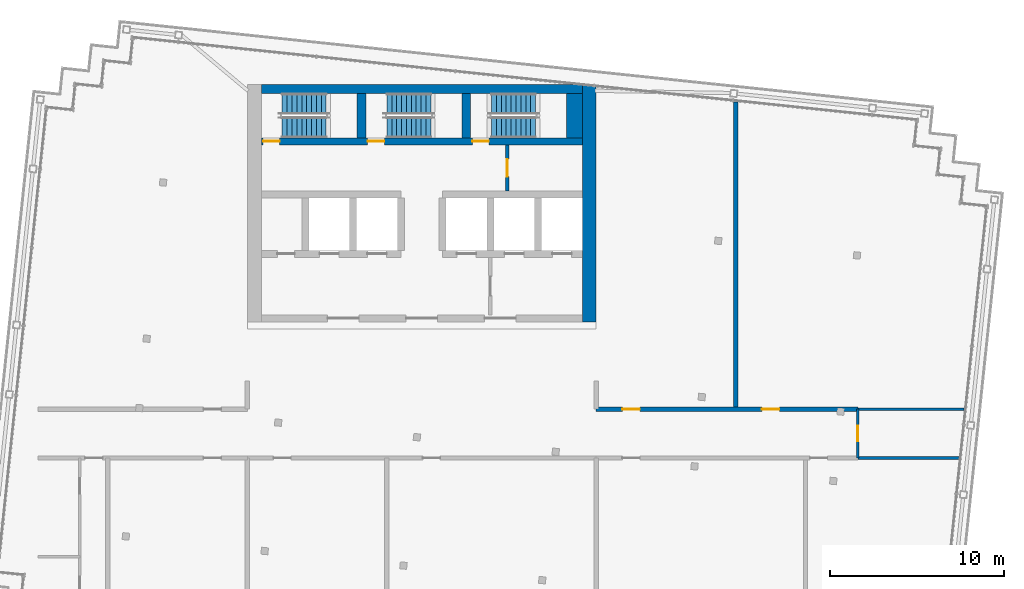
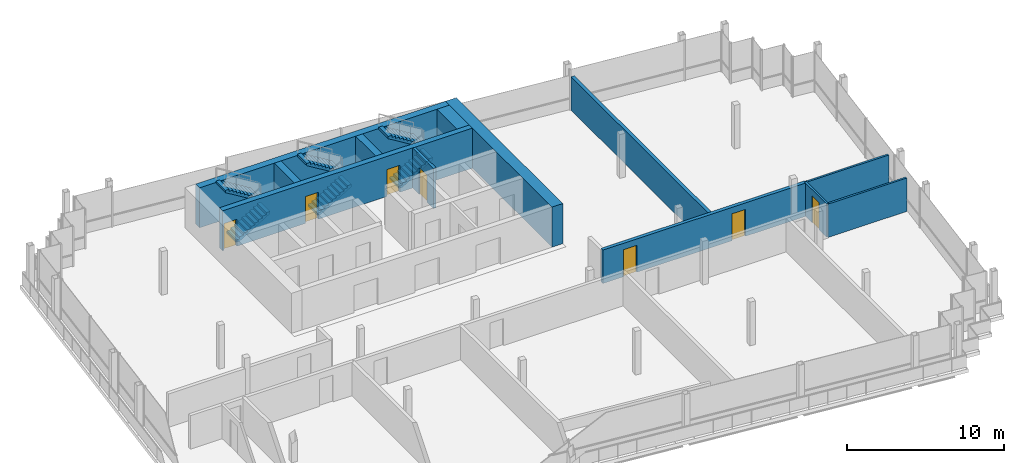
# One storey, part 12 of 15: 12 walls, 7 doors, 6 stair flights, 7 openings, 3 elements without a shape of their own.
"""IFC4 building model written with IfcOpenShell, lengths in metres."""

from ifc_helpers import new_model, si_unit, direction, frame, frame_2d, origin, place, context, subcontext, project, spatial, polyline, rectangle, outline, extrude, material, layer, layer_set, type_object, element, fill, aggregate, save


model = new_model("IFC4")

# Units and contexts
model_context = context("Model", 3, precision=1e-05, world=origin(), true_north=direction((0.0, 1.0)))
body_context = subcontext(model_context, "Body", "Model", "MODEL_VIEW")
ifc_project = project(units=[si_unit("LENGTHUNIT", "METRE"), si_unit("AREAUNIT", "SQUARE_METRE"), si_unit("VOLUMEUNIT", "CUBIC_METRE"), si_unit("PLANEANGLEUNIT", "RADIAN"), si_unit("MASSUNIT", "GRAM", prefix="KILO")], contexts=[model_context])

# Site, building, storey
site_placement = place(None, origin())
site = spatial("IfcSite", under=ifc_project, at=site_placement, CompositionType="ELEMENT")
building_placement = place(site_placement, origin())
building = spatial("IfcBuilding", under=site, at=building_placement, Name="Vidyagriha Tower", CompositionType="ELEMENT")
storey_placement = place(building_placement, frame((0.0, 0.0, 294.89990234375)))
storey = spatial("IfcBuildingStorey", under=building, at=storey_placement, Name="L76", CompositionType="ELEMENT", Elevation=294.89990234375)

# Wall, openings, doors
ifc_material_1 = material(Name="Concrete C60/75", Category="concrete")
ifc_layer_1 = layer(ifc_material_1, 0.39990234375)
ifc_layer_set_1 = layer_set([ifc_layer_1], Name="Concrete C60/75")
wall_type_1 = type_object("IfcWallType", Name="Core shear wall 400 mm", PredefinedType="SHEAR", material=ifc_layer_set_1)
wall_1_placement = place(storey_placement, frame((-9.199951171875, 16.75, 0.0)))
wall_1 = element("IfcWall", 1, at=wall_1_placement, inside=storey, type_object=wall_type_1, Name="Stair front wall", PredefinedType="SHEAR", context=body_context, shape_type="SweptSolid", body=[
    extrude(rectangle(XDim=18.39990234375, YDim=0.39990234375, at=frame_2d((9.199951171875, 0.0))), origin(), (0.0, 0.0, 1.0), 3.1201171875),
])
opening_1_placement = place(wall_1_placement, frame((0.10009765625, 0.0, 0.0)))
opening_1 = element("IfcOpeningElement", 2, at=opening_1_placement, cuts=wall_1, Name="Opening D76-06", PredefinedType="OPENING", context=body_context, shape_type="SweptSolid", body=[
    extrude(rectangle(XDim=0.949951171875, YDim=2.10009765625, at=frame_2d((0.47509765625, 1.050048828125))), frame((0.0, 0.2099609375, 0.0), z_axis=(0.0, -1.0, 0.0), x_axis=(1.0, 0.0, 0.0)), (0.0, 0.0, 1.0), 0.419921875),
])
opening_2_placement = place(wall_1_placement, frame((6.10009765625, 0.0, 0.0)))
opening_2 = element("IfcOpeningElement", 3, at=opening_2_placement, cuts=wall_1, Name="Opening D76-07", PredefinedType="OPENING", context=body_context, shape_type="SweptSolid", body=[
    extrude(rectangle(XDim=0.949951171875, YDim=2.10009765625, at=frame_2d((0.47509765625, 1.050048828125))), frame((0.0, 0.2099609375, 0.0), z_axis=(0.0, -1.0, 0.0), x_axis=(1.0, 0.0, 0.0)), (0.0, 0.0, 1.0), 0.419921875),
])
opening_3_placement = place(wall_1_placement, frame((12.10009765625, 0.0, 0.0)))
opening_3 = element("IfcOpeningElement", 4, at=opening_3_placement, cuts=wall_1, Name="Opening D76-08", PredefinedType="OPENING", context=body_context, shape_type="SweptSolid", body=[
    extrude(rectangle(XDim=0.949951171875, YDim=2.10009765625, at=frame_2d((0.47509765625, 1.050048828125))), frame((0.0, 0.2099609375, 0.0), z_axis=(0.0, -1.0, 0.0), x_axis=(1.0, 0.0, 0.0)), (0.0, 0.0, 1.0), 0.419921875),
])
ifc_material_2 = material(Name="Hollow metal door leaf")
door_type_1 = type_object("IfcDoorType", Name="Exit stair door 950 x 2100 mm EI 90", OperationType="NOTDEFINED", PredefinedType="DOOR", material=ifc_material_2)
door_1_placement = place(opening_1_placement, origin())
door_1 = element("IfcDoor", 5, at=door_1_placement, inside=storey, type_object=door_type_1, Name="Stair door ST1 L76", OperationType="SINGLE_SWING_LEFT", OverallHeight=2.10009765625, OverallWidth=0.949951171875, PredefinedType="DOOR", context=body_context, shape_type="SweptSolid", body=[
    extrude(rectangle(XDim=0.949951171875, YDim=2.10009765625, at=frame_2d((0.47509765625, 1.050048828125))), frame((0.0, 0.02490234375, 0.0), z_axis=(0.0, -1.0, 0.0), x_axis=(1.0, 0.0, 0.0)), (0.0, 0.0, 1.0), 0.050048828125),
])
fill(opening_1, door_1)
door_2_placement = place(opening_2_placement, origin())
door_2 = element("IfcDoor", 6, at=door_2_placement, inside=storey, type_object=door_type_1, Name="Stair door ST2 L76", OperationType="SINGLE_SWING_LEFT", OverallHeight=2.10009765625, OverallWidth=0.949951171875, PredefinedType="DOOR", context=body_context, shape_type="SweptSolid", body=[
    extrude(rectangle(XDim=0.949951171875, YDim=2.10009765625, at=frame_2d((0.47509765625, 1.050048828125))), frame((0.0, 0.02490234375, 0.0), z_axis=(0.0, -1.0, 0.0), x_axis=(1.0, 0.0, 0.0)), (0.0, 0.0, 1.0), 0.050048828125),
])
fill(opening_2, door_2)
door_3_placement = place(opening_3_placement, origin())
door_3 = element("IfcDoor", 7, at=door_3_placement, inside=storey, type_object=door_type_1, Name="Stair door ST3 L76", OperationType="SINGLE_SWING_LEFT", OverallHeight=2.10009765625, OverallWidth=0.949951171875, PredefinedType="DOOR", context=body_context, shape_type="SweptSolid", body=[
    extrude(rectangle(XDim=0.949951171875, YDim=2.10009765625, at=frame_2d((0.47509765625, 1.050048828125))), frame((0.0, 0.02490234375, 0.0), z_axis=(0.0, -1.0, 0.0), x_axis=(1.0, 0.0, 0.0)), (0.0, 0.0, 1.0), 0.050048828125),
])
fill(opening_3, door_3)

# Walls
ifc_material_3 = material(Name="Concrete C60/75", Category="concrete")
ifc_layer_2 = layer(ifc_material_3, 0.5)
ifc_layer_set_2 = layer_set([ifc_layer_2], Name="Concrete C60/75")
wall_type_2 = type_object("IfcWallType", Name="Core shear wall 500 mm", PredefinedType="SHEAR", material=ifc_layer_set_2)
wall_2_placement = place(storey_placement, frame((-9.199951171875, 19.75, 0.0)))
element("IfcWall", 8, at=wall_2_placement, inside=storey, type_object=wall_type_2, Name="Core north wall", PredefinedType="SHEAR", context=body_context, shape_type="SweptSolid", body=[
    extrude(rectangle(XDim=18.39990234375, YDim=0.5, at=frame_2d((9.199951171875, 0.0))), origin(), (0.0, 0.0, 1.0), 3.1201171875),
])
for number, where, z_axis, x_axis, name in (
    (9, (-3.449951171875, 16.949951171875, 0.0), (0.0, 0.0, 1.0), (0.0, 1.0, 0.0), "Stair partition wall 1"),
    (10, (2.550048828125, 16.949951171875, 0.0), (0.0, 0.0, 1.0), (0.0, 1.0, 0.0), "Stair partition wall 2"),
):
    element("IfcWall", number, at=place(storey_placement, frame(where, z_axis=z_axis, x_axis=x_axis)), inside=storey, type_object=wall_type_2, Name=name, PredefinedType="SHEAR", context=body_context, shape_type="SweptSolid", body=[
        extrude(rectangle(XDim=2.550048828125, YDim=0.5, at=frame_2d((1.27490234375, 0.0))), origin(), (0.0, 0.0, 1.0), 3.1201171875),
    ])
ifc_material_4 = material(Name="Concrete C60/75", Category="concrete")
ifc_layer_3 = layer(ifc_material_4, 0.800048828125)
ifc_layer_set_3 = layer_set([ifc_layer_3], Name="Concrete C60/75")
wall_type_3 = type_object("IfcWallType", Name="Core shear wall 800 mm", PredefinedType="SHEAR", material=ifc_layer_set_3)
wall_3_placement = place(storey_placement, frame((9.60009765625, 6.39990234375, 0.0), z_axis=(0.0, 0.0, 1.0), x_axis=(0.0, 1.0, 0.0)))
element("IfcWall", 11, at=wall_3_placement, inside=storey, type_object=wall_type_3, Name="Core east wall", PredefinedType="SHEAR", context=body_context, shape_type="SweptSolid", body=[
    extrude(rectangle(XDim=13.60009765625, YDim=0.800048828125, at=frame_2d((6.800048828125, 0.0))), origin(), (0.0, 0.0, 1.0), 3.1201171875),
])
ifc_material_5 = material(Name="Concrete C60/75", Category="concrete")
ifc_layer_4 = layer(ifc_material_5, 0.89990234375)
ifc_layer_set_4 = layer_set([ifc_layer_4], Name="Concrete C60/75")
wall_type_4 = type_object("IfcWallType", Name="Core shear wall 900 mm", PredefinedType="SHEAR", material=ifc_layer_set_4)
wall_4_placement = place(storey_placement, frame((8.75, 16.949951171875, 0.0), z_axis=(0.0, 0.0, 1.0), x_axis=(0.0, 1.0, 0.0)))
element("IfcWall", 12, at=wall_4_placement, inside=storey, type_object=wall_type_4, Name="Stair end wall", PredefinedType="SHEAR", context=body_context, shape_type="SweptSolid", body=[
    extrude(rectangle(XDim=2.550048828125, YDim=0.89990234375, at=frame_2d((1.27490234375, 0.0))), origin(), (0.0, 0.0, 1.0), 3.1201171875),
])

# Wall, openings, doors
ifc_material_6 = material(Name="Fired clay brick masonry", Category="masonry")
ifc_layer_5 = layer(ifc_material_6, 0.25)
ifc_layer_set_5 = layer_set([ifc_layer_5], Name="Fired clay brick masonry")
wall_type_5 = type_object("IfcWallType", Name="Fired clay brick corridor wall 250", PredefinedType="PARTITIONING", material=ifc_layer_set_5)
wall_5_placement = place(storey_placement, frame((10.0, 1.39990234375, 0.0)))
wall_5 = element("IfcWall", 13, at=wall_5_placement, inside=storey, type_object=wall_type_5, Name="Wall all-L76-w020", PredefinedType="PARTITIONING", context=body_context, shape_type="SweptSolid", body=[
    extrude(rectangle(XDim=15.0, YDim=0.25, at=frame_2d((7.5, 0.0))), origin(), (0.0, 0.0, 1.0), 2.60009765625),
])
opening_4_placement = place(wall_5_placement, frame((1.5, 0.0, 0.0)))
opening_4 = element("IfcOpeningElement", 14, at=opening_4_placement, cuts=wall_5, Name="Opening D76-18", PredefinedType="OPENING", context=body_context, shape_type="SweptSolid", body=[
    extrude(rectangle(XDim=1.0, YDim=2.10009765625, at=frame_2d((0.5, 1.050048828125))), frame((0.0, 0.135009765625, 0.0), z_axis=(0.0, -1.0, 0.0), x_axis=(1.0, 0.0, 0.0)), (0.0, 0.0, 1.0), 0.27001953125),
])
opening_5_placement = place(wall_5_placement, frame((9.5, 0.0, 0.0)))
opening_5 = element("IfcOpeningElement", 15, at=opening_5_placement, cuts=wall_5, Name="Opening D76-19", PredefinedType="OPENING", context=body_context, shape_type="SweptSolid", body=[
    extrude(rectangle(XDim=1.0, YDim=2.10009765625, at=frame_2d((0.5, 1.050048828125))), frame((0.0, 0.135009765625, 0.0), z_axis=(0.0, -1.0, 0.0), x_axis=(1.0, 0.0, 0.0)), (0.0, 0.0, 1.0), 0.27001953125),
])
ifc_material_7 = material(Name="Fire-rated timber door leaf EI 60", Category="wood")
door_type_2 = type_object("IfcDoorType", Name="Flat entrance fire door 1000x2100", OperationType="NOTDEFINED", PredefinedType="DOOR", material=ifc_material_7)
door_4_placement = place(opening_4_placement, origin())
door_4 = element("IfcDoor", 16, at=door_4_placement, inside=storey, type_object=door_type_2, Name="Door D76-18", OperationType="SINGLE_SWING_LEFT", OverallHeight=2.10009765625, OverallWidth=1.0, PredefinedType="DOOR", context=body_context, shape_type="SweptSolid", body=[
    extrude(rectangle(XDim=1.0, YDim=2.10009765625, at=frame_2d((0.5, 1.050048828125))), frame((0.0, 0.02490234375, 0.0), z_axis=(0.0, -1.0, 0.0), x_axis=(1.0, 0.0, 0.0)), (0.0, 0.0, 1.0), 0.050048828125),
])
fill(opening_4, door_4)
door_5_placement = place(opening_5_placement, origin())
door_5 = element("IfcDoor", 17, at=door_5_placement, inside=storey, type_object=door_type_2, Name="Door D76-19", OperationType="SINGLE_SWING_LEFT", OverallHeight=2.10009765625, OverallWidth=1.0, PredefinedType="DOOR", context=body_context, shape_type="SweptSolid", body=[
    extrude(rectangle(XDim=1.0, YDim=2.10009765625, at=frame_2d((0.5, 1.050048828125))), frame((0.0, 0.02490234375, 0.0), z_axis=(0.0, -1.0, 0.0), x_axis=(1.0, 0.0, 0.0)), (0.0, 0.0, 1.0), 0.050048828125),
])
fill(opening_5, door_5)

# Walls
ifc_material_8 = material(Name="Fired clay brick masonry", Category="masonry")
ifc_layer_6 = layer(ifc_material_8, 0.25)
ifc_layer_set_6 = layer_set([ifc_layer_6], Name="Fired clay brick masonry")
wall_type_6 = type_object("IfcWallType", Name="Fired clay brick demising wall 250", PredefinedType="PARTITIONING", material=ifc_layer_set_6)
wall_6_placement = place(storey_placement, frame((18.0, 19.00439453125, 0.0), z_axis=(0.0, 0.0, 1.0), x_axis=(0.0, -1.0, 0.0)))
element("IfcWall", 18, at=wall_6_placement, inside=storey, type_object=wall_type_6, Name="Wall all-L76-w024", PredefinedType="PARTITIONING", context=body_context, shape_type="SweptSolid", body=[
    extrude(rectangle(XDim=17.6044921875, YDim=0.25, at=frame_2d((8.80224609375, 0.0))), origin(), (0.0, 0.0, 1.0), 2.60009765625),
])
ifc_material_9 = material(Name="Gypsum board partition")
ifc_layer_7 = layer(ifc_material_9, 0.14990234375)
ifc_layer_set_7 = layer_set([ifc_layer_7], Name="Gypsum board partition")
wall_type_7 = type_object("IfcWallType", Name="Gypsum board partition 150", PredefinedType="PARTITIONING", material=ifc_layer_set_7)
wall_7_placement = place(storey_placement, frame((30.79833984375, -1.39990234375, 0.0), z_axis=(0.0, 0.0, 1.0), x_axis=(-1.0, 0.0, 0.0)))
element("IfcWall", 19, at=wall_7_placement, inside=storey, type_object=wall_type_7, Name="Wall all-L76-w013", PredefinedType="PARTITIONING", context=body_context, shape_type="SweptSolid", body=[
    extrude(rectangle(XDim=5.79833984375, YDim=0.14990234375, at=frame_2d((2.899169921875, 0.0))), origin(), (0.0, 0.0, 1.0), 2.60009765625),
])

# Wall, opening, door
wall_8_placement = place(storey_placement, frame((25.0, -1.39990234375, 0.0), z_axis=(0.0, 0.0, 1.0), x_axis=(0.0, 1.0, 0.0)))
wall_8 = element("IfcWall", 20, at=wall_8_placement, inside=storey, type_object=wall_type_7, Name="Wall all-L76-w014", PredefinedType="PARTITIONING", context=body_context, shape_type="SweptSolid", body=[
    extrude(rectangle(XDim=2.7998046875, YDim=0.14990234375, at=frame_2d((1.39990234375, 0.0))), origin(), (0.0, 0.0, 1.0), 2.60009765625),
])
opening_6_placement = place(wall_8_placement, frame((0.949951171875, 0.0, 0.0)))
opening_6 = element("IfcOpeningElement", 21, at=opening_6_placement, cuts=wall_8, Name="Opening D76-17", PredefinedType="OPENING", context=body_context, shape_type="SweptSolid", body=[
    extrude(rectangle(XDim=0.89990234375, YDim=2.10009765625, at=frame_2d((0.449951171875, 1.050048828125))), frame((0.0, 0.0849609375, 0.0), z_axis=(0.0, -1.0, 0.0), x_axis=(1.0, 0.0, 0.0)), (0.0, 0.0, 1.0), 0.169921875),
])
ifc_material_10 = material(Name="Timber door leaf", Category="wood")
door_type_3 = type_object("IfcDoorType", Name="Room door 900x2100", OperationType="NOTDEFINED", PredefinedType="DOOR", material=ifc_material_10)
door_6_placement = place(opening_6_placement, origin())
door_6 = element("IfcDoor", 22, at=door_6_placement, inside=storey, type_object=door_type_3, Name="Door D76-17", OperationType="SINGLE_SWING_RIGHT", OverallHeight=2.10009765625, OverallWidth=0.89990234375, PredefinedType="DOOR", context=body_context, shape_type="SweptSolid", body=[
    extrude(rectangle(XDim=0.89990234375, YDim=2.10009765625, at=frame_2d((0.449951171875, 1.050048828125))), frame((0.0, 0.02490234375, 0.0), z_axis=(0.0, -1.0, 0.0), x_axis=(1.0, 0.0, 0.0)), (0.0, 0.0, 1.0), 0.050048828125),
])
fill(opening_6, door_6)

# Wall
wall_9_placement = place(storey_placement, frame((25.0, 1.39990234375, 0.0)))
element("IfcWall", 23, at=wall_9_placement, inside=storey, type_object=wall_type_7, Name="Wall all-L76-w021", PredefinedType="PARTITIONING", context=body_context, shape_type="SweptSolid", body=[
    extrude(rectangle(XDim=6.092529296875, YDim=0.14990234375, at=frame_2d((3.04638671875, 0.0))), origin(), (0.0, 0.0, 1.0), 2.60009765625),
])

# Wall, opening, door
ifc_material_11 = material(Name="Blockwork 15 MPa", Category="masonry")
ifc_layer_8 = layer(ifc_material_11, 0.199951171875)
ifc_layer_set_8 = layer_set([ifc_layer_8], Name="Blockwork 15 MPa")
wall_type_8 = type_object("IfcWallType", Name="Service room partition 200 mm", PredefinedType="PARTITIONING", material=ifc_layer_set_8)
wall_10_placement = place(storey_placement, frame((4.89990234375, 13.89990234375, 0.0), z_axis=(0.0, 0.0, 1.0), x_axis=(0.0, 1.0, 0.0)))
wall_10 = element("IfcWall", 24, at=wall_10_placement, inside=storey, type_object=wall_type_8, Name="Core room partition E", PredefinedType="PARTITIONING", context=body_context, shape_type="SweptSolid", body=[
    extrude(rectangle(XDim=2.650146484375, YDim=0.199951171875, at=frame_2d((1.3251953125, 0.0))), origin(), (0.0, 0.0, 1.0), 3.1201171875),
])
opening_7_placement = place(wall_10_placement, frame((0.824951171875, 0.0, 0.0)))
opening_7 = element("IfcOpeningElement", 25, at=opening_7_placement, cuts=wall_10, Name="Opening D76-09", PredefinedType="OPENING", context=body_context, shape_type="SweptSolid", body=[
    extrude(rectangle(XDim=1.0, YDim=2.10009765625, at=frame_2d((0.5, 1.050048828125))), frame((0.0, 0.10986328125, 0.0), z_axis=(0.0, -1.0, 0.0), x_axis=(1.0, 0.0, 0.0)), (0.0, 0.0, 1.0), 0.219970703125),
])
ifc_material_12 = material(Name="Hollow metal door leaf")
door_type_4 = type_object("IfcDoorType", Name="Core room door 1000 x 2100 mm EI 60", OperationType="NOTDEFINED", PredefinedType="DOOR", material=ifc_material_12)
door_7_placement = place(opening_7_placement, origin())
door_7 = element("IfcDoor", 26, at=door_7_placement, inside=storey, type_object=door_type_4, Name="Door Storage Room 76.T1", OperationType="SINGLE_SWING_LEFT", OverallHeight=2.10009765625, OverallWidth=1.0, PredefinedType="DOOR", context=body_context, shape_type="SweptSolid", body=[
    extrude(rectangle(XDim=1.0, YDim=2.10009765625, at=frame_2d((0.5, 1.050048828125))), frame((0.0, 0.02490234375, 0.0), z_axis=(0.0, -1.0, 0.0), x_axis=(1.0, 0.0, 0.0)), (0.0, 0.0, 1.0), 0.050048828125),
])
fill(opening_7, door_7)

# Stair, stair flights
ifc_material_13 = material(Name="Concrete C40/50", Category="concrete")
stair_type = type_object("IfcStairType", Name="Exit stair, half-turn, precast flights", PredefinedType="HALF_TURN_STAIR", material=ifc_material_13)
stair_1_placement = place(storey_placement, origin())
stair_1 = element("IfcStair", 27, at=stair_1_placement, inside=storey, type_object=stair_type, Name="L76 Exit Stair ST1", PredefinedType="HALF_TURN_STAIR")
ifc_material_14 = material(Name="Precast concrete C40/50", Category="concrete")
stair_flight_type = type_object("IfcStairFlightType", Name="Exit stair flight 1200 mm, precast", PredefinedType="STRAIGHT", material=ifc_material_14)
stair_flight_1_placement = place(storey_placement, frame((-8.0, 17.550048828125, 0.0)))
stair_flight_1 = element("IfcStairFlight", 28, at=stair_flight_1_placement, type_object=stair_flight_type, Name="ST1 flight 1", NumberOfRisers=10, NumberOfTreads=9, PredefinedType="STRAIGHT", RiserHeight=0.17, TreadLength=0.28, context=body_context, shape_type="SweptSolid", body=[
    extrude(outline(polyline([(0.0, 0.0), (0.0, 0.169921875), (0.280029296875, 0.169921875), (0.280029296875, 0.340087890625), (0.56005859375, 0.340087890625), (0.56005859375, 0.510009765625), (0.840087890625, 0.510009765625), (0.840087890625, 0.679931640625), (1.1201171875, 0.679931640625), (1.1201171875, 0.85009765625), (1.39990234375, 0.85009765625), (1.39990234375, 1.02001953125), (1.679931640625, 1.02001953125), (1.679931640625, 1.18994140625), (1.9599609375, 1.18994140625), (1.9599609375, 1.360107421875), (2.239990234375, 1.360107421875), (2.239990234375, 1.530029296875), (2.52001953125, 1.530029296875), (2.52001953125, 1.699951171875), (2.52001953125, 1.354736328125), (0.288818359375, 0.0), (0.0, 0.0)])), frame((0.0, 0.60009765625, 0.0), z_axis=(0.0, -1.0, 0.0), x_axis=(1.0, 0.0, 0.0)), (0.0, 0.0, 1.0), 1.199951171875),
])
stair_flight_2_placement = place(storey_placement, frame((-5.47998046875, 18.89990234375, 1.7001953125), z_axis=(0.0, 0.0, 1.0), x_axis=(-1.0, 0.0, 0.0)))
stair_flight_2 = element("IfcStairFlight", 29, at=stair_flight_2_placement, type_object=stair_flight_type, Name="ST1 flight 2", NumberOfRisers=10, NumberOfTreads=9, PredefinedType="STRAIGHT", RiserHeight=0.17, TreadLength=0.28, context=body_context, shape_type="SweptSolid", body=[
    extrude(outline(polyline([(0.0, 0.0), (0.0, 0.169921875), (0.280029296875, 0.169921875), (0.280029296875, 0.340087890625), (0.56005859375, 0.340087890625), (0.56005859375, 0.510009765625), (0.840087890625, 0.510009765625), (0.840087890625, 0.679931640625), (1.1201171875, 0.679931640625), (1.1201171875, 0.85009765625), (1.39990234375, 0.85009765625), (1.39990234375, 1.02001953125), (1.679931640625, 1.02001953125), (1.679931640625, 1.18994140625), (1.9599609375, 1.18994140625), (1.9599609375, 1.360107421875), (2.239990234375, 1.360107421875), (2.239990234375, 1.530029296875), (2.52001953125, 1.530029296875), (2.52001953125, 1.699951171875), (2.52001953125, 1.354736328125), (0.288818359375, 0.0), (0.0, 0.0)])), frame((0.0, 0.60009765625, 0.0), z_axis=(0.0, -1.0, 0.0), x_axis=(1.0, 0.0, 0.0)), (0.0, 0.0, 1.0), 1.199951171875),
])
aggregate(stair_1, [stair_flight_1, stair_flight_2])

stair_2_placement = place(storey_placement, origin())
stair_2 = element("IfcStair", 30, at=stair_2_placement, inside=storey, type_object=stair_type, Name="L76 Exit Stair ST2", PredefinedType="HALF_TURN_STAIR")
stair_flight_3_placement = place(storey_placement, frame((-2.0, 17.550048828125, 0.0)))
stair_flight_3 = element("IfcStairFlight", 31, at=stair_flight_3_placement, type_object=stair_flight_type, Name="ST2 flight 1", NumberOfRisers=10, NumberOfTreads=9, PredefinedType="STRAIGHT", RiserHeight=0.17, TreadLength=0.28, context=body_context, shape_type="SweptSolid", body=[
    extrude(outline(polyline([(0.0, 0.0), (0.0, 0.169921875), (0.280029296875, 0.169921875), (0.280029296875, 0.340087890625), (0.56005859375, 0.340087890625), (0.56005859375, 0.510009765625), (0.840087890625, 0.510009765625), (0.840087890625, 0.679931640625), (1.1201171875, 0.679931640625), (1.1201171875, 0.85009765625), (1.39990234375, 0.85009765625), (1.39990234375, 1.02001953125), (1.679931640625, 1.02001953125), (1.679931640625, 1.18994140625), (1.9599609375, 1.18994140625), (1.9599609375, 1.360107421875), (2.239990234375, 1.360107421875), (2.239990234375, 1.530029296875), (2.52001953125, 1.530029296875), (2.52001953125, 1.699951171875), (2.52001953125, 1.354736328125), (0.288818359375, 0.0), (0.0, 0.0)])), frame((0.0, 0.60009765625, 0.0), z_axis=(0.0, -1.0, 0.0), x_axis=(1.0, 0.0, 0.0)), (0.0, 0.0, 1.0), 1.199951171875),
])
stair_flight_4_placement = place(storey_placement, frame((0.52001953125, 18.89990234375, 1.7001953125), z_axis=(0.0, 0.0, 1.0), x_axis=(-1.0, 0.0, 0.0)))
stair_flight_4 = element("IfcStairFlight", 32, at=stair_flight_4_placement, type_object=stair_flight_type, Name="ST2 flight 2", NumberOfRisers=10, NumberOfTreads=9, PredefinedType="STRAIGHT", RiserHeight=0.17, TreadLength=0.28, context=body_context, shape_type="SweptSolid", body=[
    extrude(outline(polyline([(0.0, 0.0), (0.0, 0.169921875), (0.280029296875, 0.169921875), (0.280029296875, 0.340087890625), (0.56005859375, 0.340087890625), (0.56005859375, 0.510009765625), (0.840087890625, 0.510009765625), (0.840087890625, 0.679931640625), (1.1201171875, 0.679931640625), (1.1201171875, 0.85009765625), (1.39990234375, 0.85009765625), (1.39990234375, 1.02001953125), (1.679931640625, 1.02001953125), (1.679931640625, 1.18994140625), (1.9599609375, 1.18994140625), (1.9599609375, 1.360107421875), (2.239990234375, 1.360107421875), (2.239990234375, 1.530029296875), (2.52001953125, 1.530029296875), (2.52001953125, 1.699951171875), (2.52001953125, 1.354736328125), (0.288818359375, 0.0), (0.0, 0.0)])), frame((0.0, 0.60009765625, 0.0), z_axis=(0.0, -1.0, 0.0), x_axis=(1.0, 0.0, 0.0)), (0.0, 0.0, 1.0), 1.199951171875),
])
aggregate(stair_2, [stair_flight_3, stair_flight_4])

stair_3_placement = place(storey_placement, origin())
stair_3 = element("IfcStair", 33, at=stair_3_placement, inside=storey, type_object=stair_type, Name="L76 Exit Stair ST3", PredefinedType="HALF_TURN_STAIR")
stair_flight_5_placement = place(storey_placement, frame((4.0, 17.550048828125, 0.0)))
stair_flight_5 = element("IfcStairFlight", 34, at=stair_flight_5_placement, type_object=stair_flight_type, Name="ST3 flight 1", NumberOfRisers=10, NumberOfTreads=9, PredefinedType="STRAIGHT", RiserHeight=0.17, TreadLength=0.28, context=body_context, shape_type="SweptSolid", body=[
    extrude(outline(polyline([(0.0, 0.0), (0.0, 0.169921875), (0.280029296875, 0.169921875), (0.280029296875, 0.340087890625), (0.56005859375, 0.340087890625), (0.56005859375, 0.510009765625), (0.840087890625, 0.510009765625), (0.840087890625, 0.679931640625), (1.1201171875, 0.679931640625), (1.1201171875, 0.85009765625), (1.39990234375, 0.85009765625), (1.39990234375, 1.02001953125), (1.679931640625, 1.02001953125), (1.679931640625, 1.18994140625), (1.9599609375, 1.18994140625), (1.9599609375, 1.360107421875), (2.239990234375, 1.360107421875), (2.239990234375, 1.530029296875), (2.52001953125, 1.530029296875), (2.52001953125, 1.699951171875), (2.52001953125, 1.354736328125), (0.288818359375, 0.0), (0.0, 0.0)])), frame((0.0, 0.60009765625, 0.0), z_axis=(0.0, -1.0, 0.0), x_axis=(1.0, 0.0, 0.0)), (0.0, 0.0, 1.0), 1.199951171875),
])
stair_flight_6_placement = place(storey_placement, frame((6.52001953125, 18.89990234375, 1.7001953125), z_axis=(0.0, 0.0, 1.0), x_axis=(-1.0, 0.0, 0.0)))
stair_flight_6 = element("IfcStairFlight", 35, at=stair_flight_6_placement, type_object=stair_flight_type, Name="ST3 flight 2", NumberOfRisers=10, NumberOfTreads=9, PredefinedType="STRAIGHT", RiserHeight=0.17, TreadLength=0.28, context=body_context, shape_type="SweptSolid", body=[
    extrude(outline(polyline([(0.0, 0.0), (0.0, 0.169921875), (0.280029296875, 0.169921875), (0.280029296875, 0.340087890625), (0.56005859375, 0.340087890625), (0.56005859375, 0.510009765625), (0.840087890625, 0.510009765625), (0.840087890625, 0.679931640625), (1.1201171875, 0.679931640625), (1.1201171875, 0.85009765625), (1.39990234375, 0.85009765625), (1.39990234375, 1.02001953125), (1.679931640625, 1.02001953125), (1.679931640625, 1.18994140625), (1.9599609375, 1.18994140625), (1.9599609375, 1.360107421875), (2.239990234375, 1.360107421875), (2.239990234375, 1.530029296875), (2.52001953125, 1.530029296875), (2.52001953125, 1.699951171875), (2.52001953125, 1.354736328125), (0.288818359375, 0.0), (0.0, 0.0)])), frame((0.0, 0.60009765625, 0.0), z_axis=(0.0, -1.0, 0.0), x_axis=(1.0, 0.0, 0.0)), (0.0, 0.0, 1.0), 1.199951171875),
])
aggregate(stair_3, [stair_flight_5, stair_flight_6])

save(model, "model.ifc")
